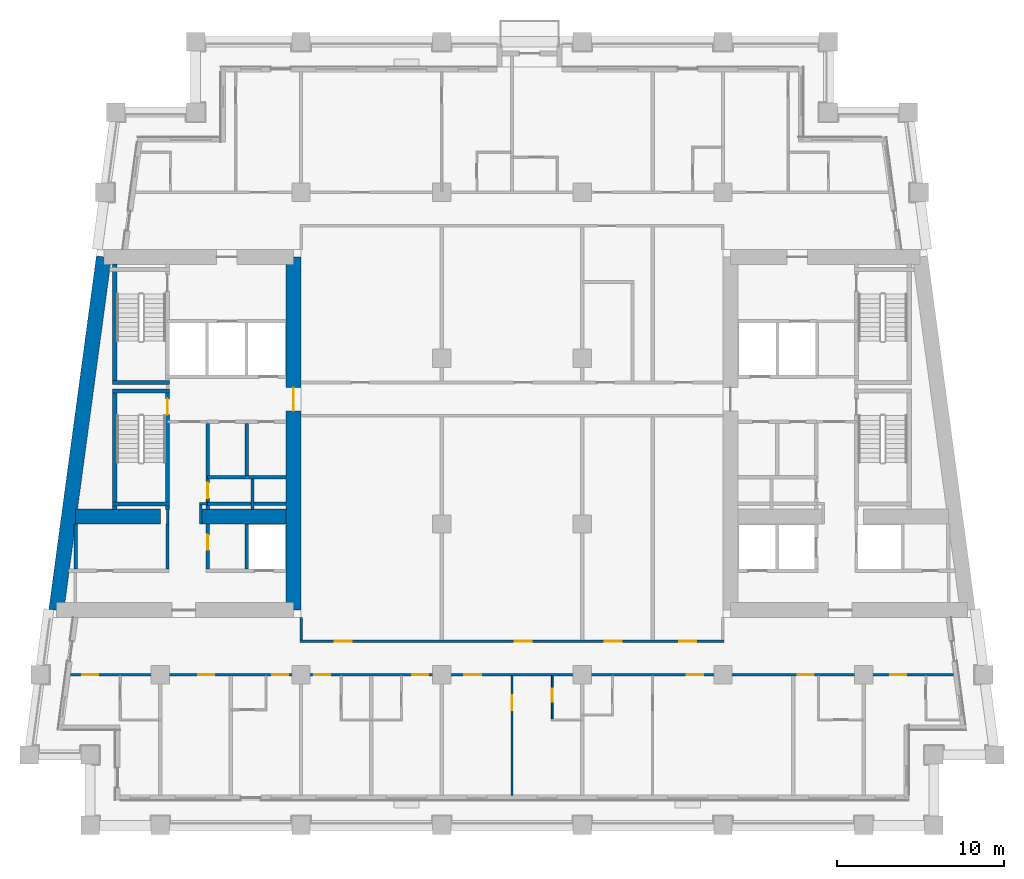
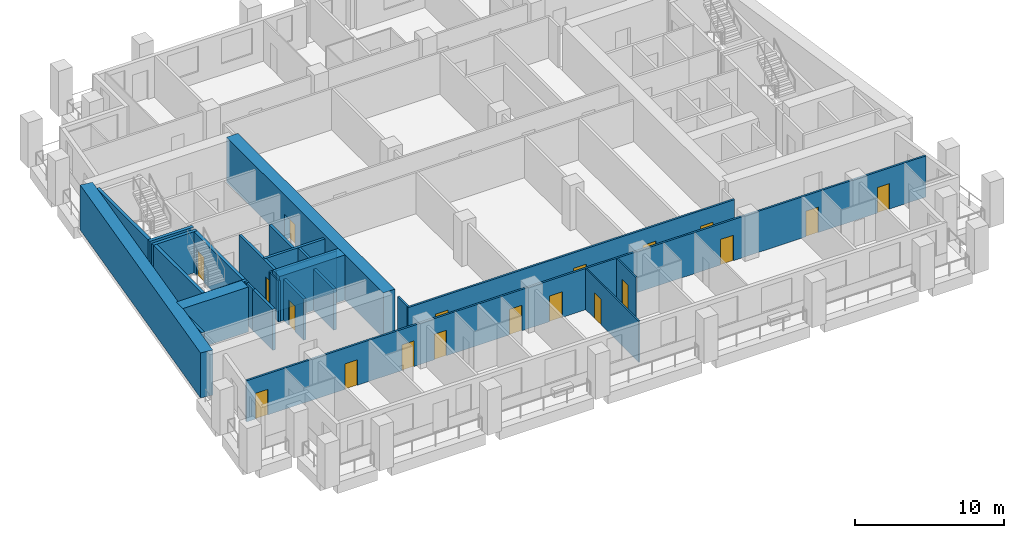
# One storey, part 3 of 13: 27 walls, 19 doors, 19 openings.
"""IFC4 building model written with IfcOpenShell, lengths in metres."""

from ifc_helpers import new_model, si_unit, direction, frame, frame_2d, origin, place, context, subcontext, project, spatial, rectangle, extrude, material, layer, layer_set, type_object, element, fill, save


model = new_model("IFC4")

# Units and contexts
model_context = context("Model", 3, precision=1e-05, world=origin(), true_north=direction((0.0, 1.0)))
body_context = subcontext(model_context, "Body", "Model", "MODEL_VIEW")
ifc_project = project(units=[si_unit("LENGTHUNIT", "METRE"), si_unit("AREAUNIT", "SQUARE_METRE"), si_unit("VOLUMEUNIT", "CUBIC_METRE"), si_unit("PLANEANGLEUNIT", "RADIAN"), si_unit("MASSUNIT", "GRAM", prefix="KILO")], contexts=[model_context])

# Site, building, storey
site_placement = place(None, origin())
site = spatial("IfcSite", under=ifc_project, at=site_placement, CompositionType="ELEMENT")
building_placement = place(site_placement, origin())
building = spatial("IfcBuilding", under=site, at=building_placement, Name="Candeia Pilgrim Tower and Theatre", CompositionType="ELEMENT")
storey_placement = place(building_placement, frame((0.0, 0.0, 151.5)))
storey = spatial("IfcBuildingStorey", under=building, at=storey_placement, Name="L35", CompositionType="ELEMENT", Elevation=151.5)

# Wall, opening, door
ifc_material_1 = material(Name="Concrete C60/75", Category="concrete")
ifc_layer_1 = layer(ifc_material_1, 0.89990234375)
ifc_layer_set_1 = layer_set([ifc_layer_1], Name="Core wall 900 C60/75")
wall_type_1 = type_object("IfcWallType", Name="Core wall 900 C60/75", PredefinedType="SHEAR", material=ifc_layer_set_1)
wall_1_placement = place(storey_placement, frame((100.35009765625, 131.949951171875, 0.0), z_axis=(0.0, 0.0, 1.0), x_axis=(0.0, -1.0, 0.0)))
wall_1 = element("IfcWall", 1, at=wall_1_placement, inside=storey, type_object=wall_type_1, Name="Core wall W2", PredefinedType="SHEAR", context=body_context, shape_type="SweptSolid", body=[
    extrude(rectangle(XDim=21.099853515625, YDim=0.89990234375, at=frame_2d((10.5498046875, 0.0))), origin(), (0.0, 0.0, 1.0), 3.699951171875),
])
opening_1_placement = place(wall_1_placement, frame((7.800048828125, 0.0, 0.0)))
opening_1 = element("IfcOpeningElement", 2, at=opening_1_placement, cuts=wall_1, Name="Opening L35-D059", PredefinedType="OPENING", context=body_context, shape_type="SweptSolid", body=[
    extrude(rectangle(XDim=1.39990234375, YDim=2.10009765625, at=frame_2d((0.699951171875, 1.050048828125))), frame((0.0, 0.4599609375, 0.0), z_axis=(0.0, -1.0, 0.0), x_axis=(1.0, 0.0, 0.0)), (0.0, 0.0, 1.0), 0.919921875),
])
ifc_material_2 = material(Name="Steel fire door set", Category="steel")
door_type_1 = type_object("IfcDoorType", Name="D-1400-FD60", OperationType="NOTDEFINED", PredefinedType="DOOR", material=ifc_material_2)
door_1_placement = place(opening_1_placement, origin())
door_1 = element("IfcDoor", 3, at=door_1_placement, inside=storey, type_object=door_type_1, Name="Door L35-D059", OperationType="SINGLE_SWING_RIGHT", OverallHeight=2.10009765625, OverallWidth=1.39990234375, PredefinedType="DOOR", context=body_context, shape_type="SweptSolid", body=[
    extrude(rectangle(XDim=1.39990234375, YDim=2.10009765625, at=frame_2d((0.699951171875, 1.050048828125))), frame((0.0, 0.02490234375, 0.0), z_axis=(0.0, -1.0, 0.0), x_axis=(1.0, 0.0, 0.0)), (0.0, 0.0, 1.0), 0.050048828125),
])
fill(opening_1, door_1)

# Walls
wall_2_placement = place(storey_placement, frame((86.183837890625, 110.85009765625, 0.0), z_axis=(0.0, 0.0, 1.0), x_axis=(0.133410495943, 0.991060865725, 0.0)))
element("IfcWall", 4, at=wall_2_placement, inside=storey, type_object=wall_type_1, Name="Core wall W4", PredefinedType="SHEAR", context=body_context, shape_type="SweptSolid", body=[
    extrude(rectangle(XDim=21.290283203125, YDim=0.89990234375, at=frame_2d((10.64501953125, 0.0))), origin(), (0.0, 0.0, 1.0), 3.699951171875),
])
wall_3_placement = place(storey_placement, frame((87.322998046875, 116.449951171875, 0.0), z_axis=(0.0, 0.0, 1.0), x_axis=(1.0, 0.0, 0.0)))
element("IfcWall", 5, at=wall_3_placement, inside=storey, type_object=wall_type_1, Name="Core wall W5", PredefinedType="SHEAR", context=body_context, shape_type="SweptSolid", body=[
    extrude(rectangle(XDim=5.076904296875, YDim=0.89990234375, at=frame_2d((2.53857421875, 0.0))), origin(), (0.0, 0.0, 1.0), 3.699951171875),
])
wall_4_placement = place(storey_placement, frame((94.800048828125, 116.449951171875, 0.0), z_axis=(0.0, 0.0, 1.0), x_axis=(1.0, 0.0, 0.0)))
element("IfcWall", 6, at=wall_4_placement, inside=storey, type_object=wall_type_1, Name="Core wall W6", PredefinedType="SHEAR", context=body_context, shape_type="SweptSolid", body=[
    extrude(rectangle(XDim=5.099853515625, YDim=0.89990234375, at=frame_2d((2.5498046875, 0.0))), origin(), (0.0, 0.0, 1.0), 3.699951171875),
])

# Wall, opening, door
ifc_material_3 = material(Name="Gypsum board partition on steel studs", Category="steel")
ifc_layer_2 = layer(ifc_material_3, 0.10009765625)
ifc_layer_set_2 = layer_set([ifc_layer_2], Name="PW-100 room partition")
wall_type_2 = type_object("IfcWallType", Name="PW-100 room partition", PredefinedType="PARTITIONING", material=ifc_layer_set_2)
wall_5_placement = place(storey_placement, frame((113.39990234375, 99.7900390625, 0.0), z_axis=(0.0, 0.0, 1.0), x_axis=(0.0, 1.0, 0.0)))
wall_5 = element("IfcWall", 7, at=wall_5_placement, inside=storey, type_object=wall_type_2, Name="Room partition L35-083", PredefinedType="PARTITIONING", context=body_context, shape_type="SweptSolid", body=[
    extrude(rectangle(XDim=7.135009765625, YDim=0.10009765625, at=frame_2d((3.5673828125, 0.0))), origin(), (0.0, 0.0, 1.0), 3.3798828125),
])
opening_2_placement = place(wall_5_placement, frame((5.074951171875, 0.0, 0.0)))
opening_2 = element("IfcOpeningElement", 8, at=opening_2_placement, cuts=wall_5, Name="Opening L35-D026", PredefinedType="OPENING", context=body_context, shape_type="SweptSolid", body=[
    extrude(rectangle(XDim=0.89990234375, YDim=2.10009765625, at=frame_2d((0.449951171875, 1.050048828125))), frame((0.0, 0.06005859375, 0.0), z_axis=(0.0, -1.0, 0.0), x_axis=(1.0, 0.0, 0.0)), (0.0, 0.0, 1.0), 0.1201171875),
])
ifc_material_4 = material(Name="Timber door leaf", Category="wood")
door_type_2 = type_object("IfcDoorType", Name="D-900", OperationType="NOTDEFINED", PredefinedType="DOOR", material=ifc_material_4)
door_2_placement = place(opening_2_placement, origin())
door_2 = element("IfcDoor", 9, at=door_2_placement, inside=storey, type_object=door_type_2, Name="Door L35-D026", OperationType="SINGLE_SWING_LEFT", OverallHeight=2.10009765625, OverallWidth=0.89990234375, PredefinedType="DOOR", context=body_context, shape_type="SweptSolid", body=[
    extrude(rectangle(XDim=0.89990234375, YDim=2.10009765625, at=frame_2d((0.449951171875, 1.050048828125))), frame((0.0, 0.02490234375, 0.0), z_axis=(0.0, -1.0, 0.0), x_axis=(1.0, 0.0, 0.0)), (0.0, 0.0, 1.0), 0.050048828125),
])
fill(opening_2, door_2)

wall_6_placement = place(storey_placement, frame((115.800048828125, 104.35009765625, 0.0), z_axis=(0.0, 0.0, 1.0), x_axis=(0.0, 1.0, 0.0)))
wall_6 = element("IfcWall", 10, at=wall_6_placement, inside=storey, type_object=wall_type_2, Name="Room partition L35-085", PredefinedType="PARTITIONING", context=body_context, shape_type="SweptSolid", body=[
    extrude(rectangle(XDim=2.574951171875, YDim=0.10009765625, at=frame_2d((1.28759765625, 0.0))), origin(), (0.0, 0.0, 1.0), 3.3798828125),
])
opening_3_placement = place(wall_6_placement, frame((1.02001953125, 0.0, 0.0)))
opening_3 = element("IfcOpeningElement", 11, at=opening_3_placement, cuts=wall_6, Name="Opening L35-D027", PredefinedType="OPENING", context=body_context, shape_type="SweptSolid", body=[
    extrude(rectangle(XDim=0.800048828125, YDim=2.10009765625, at=frame_2d((0.39990234375, 1.050048828125))), frame((0.0, 0.06005859375, 0.0), z_axis=(0.0, -1.0, 0.0), x_axis=(1.0, 0.0, 0.0)), (0.0, 0.0, 1.0), 0.1201171875),
])
door_type_3 = type_object("IfcDoorType", Name="D-800", OperationType="NOTDEFINED", PredefinedType="DOOR", material=ifc_material_4)
door_3_placement = place(opening_3_placement, origin())
door_3 = element("IfcDoor", 12, at=door_3_placement, inside=storey, type_object=door_type_3, Name="Door L35-D027", OperationType="SINGLE_SWING_RIGHT", OverallHeight=2.10009765625, OverallWidth=0.800048828125, PredefinedType="DOOR", context=body_context, shape_type="SweptSolid", body=[
    extrude(rectangle(XDim=0.800048828125, YDim=2.10009765625, at=frame_2d((0.39990234375, 1.050048828125))), frame((0.0, 0.02490234375, 0.0), z_axis=(0.0, -1.0, 0.0), x_axis=(1.0, 0.0, 0.0)), (0.0, 0.0, 1.0), 0.050048828125),
])
fill(opening_3, door_3)

# Walls
ifc_layer_3 = layer(ifc_material_3, 0.14990234375)
ifc_layer_set_3 = layer_set([ifc_layer_3], Name="PW-150 lobby wall")
wall_type_3 = type_object("IfcWallType", Name="PW-150 lobby wall", PredefinedType="PARTITIONING", material=ifc_layer_set_3)
wall_7_placement = place(storey_placement, frame((94.72509765625, 117.199951171875, 0.0), z_axis=(0.0, 0.0, 1.0), x_axis=(1.0, 0.0, 0.0)))
element("IfcWall", 13, at=wall_7_placement, inside=storey, type_object=wall_type_3, Name="Lobby wall L35-016", PredefinedType="PARTITIONING", context=body_context, shape_type="SweptSolid", body=[
    extrude(rectangle(XDim=0.501953125, YDim=0.14990234375, at=frame_2d((0.2509765625, 0.0))), origin(), (0.0, 0.0, 1.0), 3.3798828125),
])
wall_8_placement = place(storey_placement, frame((92.826904296875, 116.0, 0.0), z_axis=(0.0, 0.0, 1.0), x_axis=(0.0, 1.0, 0.0)))
element("IfcWall", 14, at=wall_8_placement, inside=storey, type_object=wall_type_3, Name="Lobby wall L35-055", PredefinedType="PARTITIONING", context=body_context, shape_type="SweptSolid", body=[
    extrude(rectangle(XDim=0.8701171875, YDim=0.14990234375, at=frame_2d((0.43505859375, 0.0))), origin(), (0.0, 0.0, 1.0), 3.3798828125),
])
wall_9_placement = place(storey_placement, frame((94.800048828125, 116.0, 0.0), z_axis=(0.0, 0.0, 1.0), x_axis=(0.0, 1.0, 0.0)))
element("IfcWall", 15, at=wall_9_placement, inside=storey, type_object=wall_type_3, Name="Lobby wall L35-060", PredefinedType="PARTITIONING", context=body_context, shape_type="SweptSolid", body=[
    extrude(rectangle(XDim=1.125, YDim=0.14990234375, at=frame_2d((0.5625, 0.0))), origin(), (0.0, 0.0, 1.0), 3.3798828125),
])

# Wall, openings, doors
ifc_layer_4 = layer(ifc_material_3, 0.14990234375)
ifc_layer_set_4 = layer_set([ifc_layer_4], Name="PW-150 unit wall")
wall_type_4 = type_object("IfcWallType", Name="PW-150 unit wall", PredefinedType="PARTITIONING", material=ifc_layer_set_4)
wall_10_placement = place(storey_placement, frame((87.017578125, 107.0, 0.0), z_axis=(0.0, 0.0, 1.0), x_axis=(1.0, 0.0, 0.0)))
wall_10 = element("IfcWall", 16, at=wall_10_placement, inside=storey, type_object=wall_type_4, Name="Unit wall L35-008", PredefinedType="PARTITIONING", context=body_context, shape_type="SweptSolid", body=[
    extrude(rectangle(XDim=52.7646484375, YDim=0.14990234375, at=frame_2d((26.38232421875, 0.0))), origin(), (0.0, 0.0, 1.0), 3.3798828125),
])
opening_4_placement = place(wall_10_placement, frame((0.707275390625, 0.0, 0.0)))
opening_4 = element("IfcOpeningElement", 17, at=opening_4_placement, cuts=wall_10, Name="Opening L35-D016", PredefinedType="OPENING", context=body_context, shape_type="SweptSolid", body=[
    extrude(rectangle(XDim=0.949951171875, YDim=2.10009765625, at=frame_2d((0.47509765625, 1.050048828125))), frame((0.0, 0.0849609375, 0.0), z_axis=(0.0, -1.0, 0.0), x_axis=(1.0, 0.0, 0.0)), (0.0, 0.0, 1.0), 0.169921875),
])
opening_5_placement = place(wall_10_placement, frame((7.645263671875, 0.0, 0.0)))
opening_5 = element("IfcOpeningElement", 18, at=opening_5_placement, cuts=wall_10, Name="Opening L35-D018", PredefinedType="OPENING", context=body_context, shape_type="SweptSolid", body=[
    extrude(rectangle(XDim=0.949951171875, YDim=2.10009765625, at=frame_2d((0.47509765625, 1.050048828125))), frame((0.0, 0.0849609375, 0.0), z_axis=(0.0, -1.0, 0.0), x_axis=(1.0, 0.0, 0.0)), (0.0, 0.0, 1.0), 0.169921875),
])
opening_6_placement = place(wall_10_placement, frame((12.0673828125, 0.0, 0.0)))
opening_6 = element("IfcOpeningElement", 19, at=opening_6_placement, cuts=wall_10, Name="Opening L35-D019", PredefinedType="OPENING", context=body_context, shape_type="SweptSolid", body=[
    extrude(rectangle(XDim=0.949951171875, YDim=2.10009765625, at=frame_2d((0.47509765625, 1.050048828125))), frame((0.0, 0.0849609375, 0.0), z_axis=(0.0, -1.0, 0.0), x_axis=(1.0, 0.0, 0.0)), (0.0, 0.0, 1.0), 0.169921875),
])
opening_7_placement = place(wall_10_placement, frame((14.582275390625, 0.0, 0.0)))
opening_7 = element("IfcOpeningElement", 20, at=opening_7_placement, cuts=wall_10, Name="Opening L35-D021", PredefinedType="OPENING", context=body_context, shape_type="SweptSolid", body=[
    extrude(rectangle(XDim=0.949951171875, YDim=2.10009765625, at=frame_2d((0.47509765625, 1.050048828125))), frame((0.0, 0.0849609375, 0.0), z_axis=(0.0, -1.0, 0.0), x_axis=(1.0, 0.0, 0.0)), (0.0, 0.0, 1.0), 0.169921875),
])
opening_8_placement = place(wall_10_placement, frame((20.432373046875, 0.0, 0.0)))
opening_8 = element("IfcOpeningElement", 21, at=opening_8_placement, cuts=wall_10, Name="Opening L35-D023", PredefinedType="OPENING", context=body_context, shape_type="SweptSolid", body=[
    extrude(rectangle(XDim=0.949951171875, YDim=2.10009765625, at=frame_2d((0.47509765625, 1.050048828125))), frame((0.0, 0.0849609375, 0.0), z_axis=(0.0, -1.0, 0.0), x_axis=(1.0, 0.0, 0.0)), (0.0, 0.0, 1.0), 0.169921875),
])
opening_9_placement = place(wall_10_placement, frame((23.5322265625, 0.0, 0.0)))
opening_9 = element("IfcOpeningElement", 22, at=opening_9_placement, cuts=wall_10, Name="Opening L35-D025", PredefinedType="OPENING", context=body_context, shape_type="SweptSolid", body=[
    extrude(rectangle(XDim=1.0, YDim=2.10009765625, at=frame_2d((0.5, 1.050048828125))), frame((0.0, 0.0849609375, 0.0), z_axis=(0.0, -1.0, 0.0), x_axis=(1.0, 0.0, 0.0)), (0.0, 0.0, 1.0), 0.169921875),
])
opening_10_placement = place(wall_10_placement, frame((36.807373046875, 0.0, 0.0)))
opening_10 = element("IfcOpeningElement", 23, at=opening_10_placement, cuts=wall_10, Name="Opening L35-D028", PredefinedType="OPENING", context=body_context, shape_type="SweptSolid", body=[
    extrude(rectangle(XDim=1.0, YDim=2.10009765625, at=frame_2d((0.5, 1.050048828125))), frame((0.0, 0.0849609375, 0.0), z_axis=(0.0, -1.0, 0.0), x_axis=(1.0, 0.0, 0.0)), (0.0, 0.0, 1.0), 0.169921875),
])
opening_11_placement = place(wall_10_placement, frame((43.457275390625, 0.0, 0.0)))
opening_11 = element("IfcOpeningElement", 24, at=opening_11_placement, cuts=wall_10, Name="Opening L35-D031", PredefinedType="OPENING", context=body_context, shape_type="SweptSolid", body=[
    extrude(rectangle(XDim=0.949951171875, YDim=2.10009765625, at=frame_2d((0.47509765625, 1.050048828125))), frame((0.0, 0.0849609375, 0.0), z_axis=(0.0, -1.0, 0.0), x_axis=(1.0, 0.0, 0.0)), (0.0, 0.0, 1.0), 0.169921875),
])
opening_12_placement = place(wall_10_placement, frame((48.974365234375, 0.0, 0.0)))
opening_12 = element("IfcOpeningElement", 25, at=opening_12_placement, cuts=wall_10, Name="Opening L35-D033", PredefinedType="OPENING", context=body_context, shape_type="SweptSolid", body=[
    extrude(rectangle(XDim=0.949951171875, YDim=2.10009765625, at=frame_2d((0.47509765625, 1.050048828125))), frame((0.0, 0.0849609375, 0.0), z_axis=(0.0, -1.0, 0.0), x_axis=(1.0, 0.0, 0.0)), (0.0, 0.0, 1.0), 0.169921875),
])
door_type_4 = type_object("IfcDoorType", Name="D-1000-FD30S", OperationType="NOTDEFINED", PredefinedType="DOOR", material=ifc_material_2)
door_4_placement = place(opening_9_placement, origin())
door_4 = element("IfcDoor", 26, at=door_4_placement, inside=storey, type_object=door_type_4, Name="Door L35-D025", OperationType="SINGLE_SWING_RIGHT", OverallHeight=2.10009765625, OverallWidth=1.0, PredefinedType="DOOR", context=body_context, shape_type="SweptSolid", body=[
    extrude(rectangle(XDim=1.0, YDim=2.10009765625, at=frame_2d((0.5, 1.050048828125))), frame((0.0, 0.02490234375, 0.0), z_axis=(0.0, -1.0, 0.0), x_axis=(1.0, 0.0, 0.0)), (0.0, 0.0, 1.0), 0.050048828125),
])
fill(opening_9, door_4)
door_5_placement = place(opening_10_placement, origin())
door_5 = element("IfcDoor", 27, at=door_5_placement, inside=storey, type_object=door_type_4, Name="Door L35-D028", OperationType="SINGLE_SWING_LEFT", OverallHeight=2.10009765625, OverallWidth=1.0, PredefinedType="DOOR", context=body_context, shape_type="SweptSolid", body=[
    extrude(rectangle(XDim=1.0, YDim=2.10009765625, at=frame_2d((0.5, 1.050048828125))), frame((0.0, 0.02490234375, 0.0), z_axis=(0.0, -1.0, 0.0), x_axis=(1.0, 0.0, 0.0)), (0.0, 0.0, 1.0), 0.050048828125),
])
fill(opening_10, door_5)
door_type_5 = type_object("IfcDoorType", Name="D-950-FD30S", OperationType="NOTDEFINED", PredefinedType="DOOR", material=ifc_material_2)
door_6_placement = place(opening_4_placement, origin())
door_6 = element("IfcDoor", 28, at=door_6_placement, inside=storey, type_object=door_type_5, Name="Door L35-D016", OperationType="SINGLE_SWING_LEFT", OverallHeight=2.10009765625, OverallWidth=0.949951171875, PredefinedType="DOOR", context=body_context, shape_type="SweptSolid", body=[
    extrude(rectangle(XDim=0.949951171875, YDim=2.10009765625, at=frame_2d((0.47509765625, 1.050048828125))), frame((0.0, 0.02490234375, 0.0), z_axis=(0.0, -1.0, 0.0), x_axis=(1.0, 0.0, 0.0)), (0.0, 0.0, 1.0), 0.050048828125),
])
fill(opening_4, door_6)
door_7_placement = place(opening_5_placement, origin())
door_7 = element("IfcDoor", 29, at=door_7_placement, inside=storey, type_object=door_type_5, Name="Door L35-D018", OperationType="SINGLE_SWING_LEFT", OverallHeight=2.10009765625, OverallWidth=0.949951171875, PredefinedType="DOOR", context=body_context, shape_type="SweptSolid", body=[
    extrude(rectangle(XDim=0.949951171875, YDim=2.10009765625, at=frame_2d((0.47509765625, 1.050048828125))), frame((0.0, 0.02490234375, 0.0), z_axis=(0.0, -1.0, 0.0), x_axis=(1.0, 0.0, 0.0)), (0.0, 0.0, 1.0), 0.050048828125),
])
fill(opening_5, door_7)
door_8_placement = place(opening_6_placement, origin())
door_8 = element("IfcDoor", 30, at=door_8_placement, inside=storey, type_object=door_type_5, Name="Door L35-D019", OperationType="SINGLE_SWING_RIGHT", OverallHeight=2.10009765625, OverallWidth=0.949951171875, PredefinedType="DOOR", context=body_context, shape_type="SweptSolid", body=[
    extrude(rectangle(XDim=0.949951171875, YDim=2.10009765625, at=frame_2d((0.47509765625, 1.050048828125))), frame((0.0, 0.02490234375, 0.0), z_axis=(0.0, -1.0, 0.0), x_axis=(1.0, 0.0, 0.0)), (0.0, 0.0, 1.0), 0.050048828125),
])
fill(opening_6, door_8)
door_9_placement = place(opening_7_placement, origin())
door_9 = element("IfcDoor", 31, at=door_9_placement, inside=storey, type_object=door_type_5, Name="Door L35-D021", OperationType="SINGLE_SWING_RIGHT", OverallHeight=2.10009765625, OverallWidth=0.949951171875, PredefinedType="DOOR", context=body_context, shape_type="SweptSolid", body=[
    extrude(rectangle(XDim=0.949951171875, YDim=2.10009765625, at=frame_2d((0.47509765625, 1.050048828125))), frame((0.0, 0.02490234375, 0.0), z_axis=(0.0, -1.0, 0.0), x_axis=(1.0, 0.0, 0.0)), (0.0, 0.0, 1.0), 0.050048828125),
])
fill(opening_7, door_9)
door_10_placement = place(opening_8_placement, origin())
door_10 = element("IfcDoor", 32, at=door_10_placement, inside=storey, type_object=door_type_5, Name="Door L35-D023", OperationType="SINGLE_SWING_RIGHT", OverallHeight=2.10009765625, OverallWidth=0.949951171875, PredefinedType="DOOR", context=body_context, shape_type="SweptSolid", body=[
    extrude(rectangle(XDim=0.949951171875, YDim=2.10009765625, at=frame_2d((0.47509765625, 1.050048828125))), frame((0.0, 0.02490234375, 0.0), z_axis=(0.0, -1.0, 0.0), x_axis=(1.0, 0.0, 0.0)), (0.0, 0.0, 1.0), 0.050048828125),
])
fill(opening_8, door_10)
door_11_placement = place(opening_11_placement, origin())
door_11 = element("IfcDoor", 33, at=door_11_placement, inside=storey, type_object=door_type_5, Name="Door L35-D031", OperationType="SINGLE_SWING_RIGHT", OverallHeight=2.10009765625, OverallWidth=0.949951171875, PredefinedType="DOOR", context=body_context, shape_type="SweptSolid", body=[
    extrude(rectangle(XDim=0.949951171875, YDim=2.10009765625, at=frame_2d((0.47509765625, 1.050048828125))), frame((0.0, 0.02490234375, 0.0), z_axis=(0.0, -1.0, 0.0), x_axis=(1.0, 0.0, 0.0)), (0.0, 0.0, 1.0), 0.050048828125),
])
fill(opening_11, door_11)
door_12_placement = place(opening_12_placement, origin())
door_12 = element("IfcDoor", 34, at=door_12_placement, inside=storey, type_object=door_type_5, Name="Door L35-D033", OperationType="SINGLE_SWING_RIGHT", OverallHeight=2.10009765625, OverallWidth=0.949951171875, PredefinedType="DOOR", context=body_context, shape_type="SweptSolid", body=[
    extrude(rectangle(XDim=0.949951171875, YDim=2.10009765625, at=frame_2d((0.47509765625, 1.050048828125))), frame((0.0, 0.02490234375, 0.0), z_axis=(0.0, -1.0, 0.0), x_axis=(1.0, 0.0, 0.0)), (0.0, 0.0, 1.0), 0.050048828125),
])
fill(opening_12, door_12)

wall_11_placement = place(storey_placement, frame((100.72509765625, 109.0, 0.0), z_axis=(0.0, 0.0, 1.0), x_axis=(1.0, 0.0, 0.0)))
wall_11 = element("IfcWall", 35, at=wall_11_placement, inside=storey, type_object=wall_type_4, Name="Unit wall L35-009", PredefinedType="PARTITIONING", context=body_context, shape_type="SweptSolid", body=[
    extrude(rectangle(XDim=25.349853515625, YDim=0.14990234375, at=frame_2d((12.6748046875, 0.0))), origin(), (0.0, 0.0, 1.0), 3.3798828125),
])
opening_13_placement = place(wall_11_placement, frame((2.10009765625, 0.0, 0.0)))
opening_13 = element("IfcOpeningElement", 36, at=opening_13_placement, cuts=wall_11, Name="Opening L35-D049", PredefinedType="OPENING", context=body_context, shape_type="SweptSolid", body=[
    extrude(rectangle(XDim=1.0, YDim=2.10009765625, at=frame_2d((0.5, 1.050048828125))), frame((0.0, 0.0849609375, 0.0), z_axis=(0.0, -1.0, 0.0), x_axis=(1.0, 0.0, 0.0)), (0.0, 0.0, 1.0), 0.169921875),
])
opening_14_placement = place(wall_11_placement, frame((12.844970703125, 0.0, 0.0)))
opening_14 = element("IfcOpeningElement", 37, at=opening_14_placement, cuts=wall_11, Name="Opening L35-D050", PredefinedType="OPENING", context=body_context, shape_type="SweptSolid", body=[
    extrude(rectangle(XDim=1.0, YDim=2.10009765625, at=frame_2d((0.5, 1.050048828125))), frame((0.0, 0.0849609375, 0.0), z_axis=(0.0, -1.0, 0.0), x_axis=(1.0, 0.0, 0.0)), (0.0, 0.0, 1.0), 0.169921875),
])
opening_15_placement = place(wall_11_placement, frame((18.22509765625, 0.0, 0.0)))
opening_15 = element("IfcOpeningElement", 38, at=opening_15_placement, cuts=wall_11, Name="Opening L35-D051", PredefinedType="OPENING", context=body_context, shape_type="SweptSolid", body=[
    extrude(rectangle(XDim=1.0, YDim=2.10009765625, at=frame_2d((0.5, 1.050048828125))), frame((0.0, 0.0849609375, 0.0), z_axis=(0.0, -1.0, 0.0), x_axis=(1.0, 0.0, 0.0)), (0.0, 0.0, 1.0), 0.169921875),
])
opening_16_placement = place(wall_11_placement, frame((22.675048828125, 0.0, 0.0)))
opening_16 = element("IfcOpeningElement", 39, at=opening_16_placement, cuts=wall_11, Name="Opening L35-D052", PredefinedType="OPENING", context=body_context, shape_type="SweptSolid", body=[
    extrude(rectangle(XDim=1.0, YDim=2.10009765625, at=frame_2d((0.5, 1.050048828125))), frame((0.0, 0.0849609375, 0.0), z_axis=(0.0, -1.0, 0.0), x_axis=(1.0, 0.0, 0.0)), (0.0, 0.0, 1.0), 0.169921875),
])
door_13_placement = place(opening_13_placement, origin())
door_13 = element("IfcDoor", 40, at=door_13_placement, inside=storey, type_object=door_type_4, Name="Door L35-D049", OperationType="SINGLE_SWING_RIGHT", OverallHeight=2.10009765625, OverallWidth=1.0, PredefinedType="DOOR", context=body_context, shape_type="SweptSolid", body=[
    extrude(rectangle(XDim=1.0, YDim=2.10009765625, at=frame_2d((0.5, 1.050048828125))), frame((0.0, 0.02490234375, 0.0), z_axis=(0.0, -1.0, 0.0), x_axis=(1.0, 0.0, 0.0)), (0.0, 0.0, 1.0), 0.050048828125),
])
fill(opening_13, door_13)
door_14_placement = place(opening_14_placement, origin())
door_14 = element("IfcDoor", 41, at=door_14_placement, inside=storey, type_object=door_type_4, Name="Door L35-D050", OperationType="SINGLE_SWING_LEFT", OverallHeight=2.10009765625, OverallWidth=1.0, PredefinedType="DOOR", context=body_context, shape_type="SweptSolid", body=[
    extrude(rectangle(XDim=1.0, YDim=2.10009765625, at=frame_2d((0.5, 1.050048828125))), frame((0.0, 0.02490234375, 0.0), z_axis=(0.0, -1.0, 0.0), x_axis=(1.0, 0.0, 0.0)), (0.0, 0.0, 1.0), 0.050048828125),
])
fill(opening_14, door_14)
door_15_placement = place(opening_15_placement, origin())
door_15 = element("IfcDoor", 42, at=door_15_placement, inside=storey, type_object=door_type_4, Name="Door L35-D051", OperationType="SINGLE_SWING_RIGHT", OverallHeight=2.10009765625, OverallWidth=1.0, PredefinedType="DOOR", context=body_context, shape_type="SweptSolid", body=[
    extrude(rectangle(XDim=1.0, YDim=2.10009765625, at=frame_2d((0.5, 1.050048828125))), frame((0.0, 0.02490234375, 0.0), z_axis=(0.0, -1.0, 0.0), x_axis=(1.0, 0.0, 0.0)), (0.0, 0.0, 1.0), 0.050048828125),
])
fill(opening_15, door_15)
door_16_placement = place(opening_16_placement, origin())
door_16 = element("IfcDoor", 43, at=door_16_placement, inside=storey, type_object=door_type_4, Name="Door L35-D052", OperationType="SINGLE_SWING_LEFT", OverallHeight=2.10009765625, OverallWidth=1.0, PredefinedType="DOOR", context=body_context, shape_type="SweptSolid", body=[
    extrude(rectangle(XDim=1.0, YDim=2.10009765625, at=frame_2d((0.5, 1.050048828125))), frame((0.0, 0.02490234375, 0.0), z_axis=(0.0, -1.0, 0.0), x_axis=(1.0, 0.0, 0.0)), (0.0, 0.0, 1.0), 0.050048828125),
])
fill(opening_16, door_16)

# Walls
wall_12_placement = place(storey_placement, frame((100.800048828125, 109.074951171875, 0.0), z_axis=(0.0, 0.0, 1.0), x_axis=(0.0, 1.0, 0.0)))
element("IfcWall", 44, at=wall_12_placement, inside=storey, type_object=wall_type_4, Name="Unit wall L35-073", PredefinedType="PARTITIONING", context=body_context, shape_type="SweptSolid", body=[
    extrude(rectangle(XDim=1.324951171875, YDim=0.14990234375, at=frame_2d((0.66259765625, 0.0))), origin(), (0.0, 0.0, 1.0), 3.3798828125),
])
ifc_material_5 = material(Name="Concrete C40/50", Category="concrete")
ifc_layer_5 = layer(ifc_material_5, 0.199951171875)
ifc_layer_set_5 = layer_set([ifc_layer_5], Name="SW-200 shaft wall")
wall_type_5 = type_object("IfcWallType", Name="SW-200 shaft wall", PredefinedType="PARTITIONING", material=ifc_layer_set_5)
for number, where, z_axis, x_axis, name in (
    (45, (95.22705078125, 117.199951171875, 0.0), (0.0, 0.0, 1.0), (1.0, 0.0, 0.0), "Shaft wall L35-014"),
    (46, (95.22705078125, 118.800048828125, 0.0), (0.0, 0.0, 1.0), (1.0, 0.0, 0.0), "Shaft wall L35-020"),
):
    element("IfcWall", number, at=place(storey_placement, frame(where, z_axis=z_axis, x_axis=x_axis)), inside=storey, type_object=wall_type_5, Name=name, PredefinedType="PARTITIONING", context=body_context, shape_type="SweptSolid", body=[
        extrude(rectangle(XDim=4.6728515625, YDim=0.199951171875, at=frame_2d((2.33642578125, 0.0))), origin(), (0.0, 0.0, 1.0), 3.3798828125),
    ])
for number, where, z_axis, x_axis, name in (
    (47, (87.350341796875, 113.300048828125, 0.0), (0.0, 0.0, 1.0), (0.0, 1.0, 0.0), "Shaft wall L35-048"),
    (48, (92.826904296875, 113.300048828125, 0.0), (0.0, 0.0, 1.0), (0.0, 1.0, 0.0), "Shaft wall L35-054"),
):
    element("IfcWall", number, at=place(storey_placement, frame(where, z_axis=z_axis, x_axis=x_axis)), inside=storey, type_object=wall_type_5, Name=name, PredefinedType="PARTITIONING", context=body_context, shape_type="SweptSolid", body=[
        extrude(rectangle(XDim=2.699951171875, YDim=0.199951171875, at=frame_2d((1.35009765625, 0.0))), origin(), (0.0, 0.0, 1.0), 3.3798828125),
    ])

# Wall, opening, door
wall_13_placement = place(storey_placement, frame((95.22705078125, 113.300048828125, 0.0), z_axis=(0.0, 0.0, 1.0), x_axis=(0.0, 1.0, 0.0)))
wall_13 = element("IfcWall", 49, at=wall_13_placement, inside=storey, type_object=wall_type_5, Name="Shaft wall L35-062", PredefinedType="PARTITIONING", context=body_context, shape_type="SweptSolid", body=[
    extrude(rectangle(XDim=2.699951171875, YDim=0.199951171875, at=frame_2d((1.35009765625, 0.0))), origin(), (0.0, 0.0, 1.0), 3.3798828125),
])
opening_17_placement = place(wall_13_placement, frame((1.14990234375, 0.0, 0.0)))
opening_17 = element("IfcOpeningElement", 50, at=opening_17_placement, cuts=wall_13, Name="Opening L35-D008", PredefinedType="OPENING", context=body_context, shape_type="SweptSolid", body=[
    extrude(rectangle(XDim=0.89990234375, YDim=2.10009765625, at=frame_2d((0.449951171875, 1.050048828125))), frame((0.0, 0.10986328125, 0.0), z_axis=(0.0, -1.0, 0.0), x_axis=(1.0, 0.0, 0.0)), (0.0, 0.0, 1.0), 0.219970703125),
])
door_type_6 = type_object("IfcDoorType", Name="D-900-FD60", OperationType="NOTDEFINED", PredefinedType="DOOR", material=ifc_material_2)
door_17_placement = place(opening_17_placement, origin())
door_17 = element("IfcDoor", 51, at=door_17_placement, inside=storey, type_object=door_type_6, Name="Door L35-D008", OperationType="SINGLE_SWING_RIGHT", OverallHeight=2.10009765625, OverallWidth=0.89990234375, PredefinedType="DOOR", context=body_context, shape_type="SweptSolid", body=[
    extrude(rectangle(XDim=0.89990234375, YDim=2.10009765625, at=frame_2d((0.449951171875, 1.050048828125))), frame((0.0, 0.02490234375, 0.0), z_axis=(0.0, -1.0, 0.0), x_axis=(1.0, 0.0, 0.0)), (0.0, 0.0, 1.0), 0.050048828125),
])
fill(opening_17, door_17)

wall_14_placement = place(storey_placement, frame((95.22705078125, 116.8701171875, 0.0), z_axis=(0.0, 0.0, 1.0), x_axis=(0.0, 1.0, 0.0)))
wall_14 = element("IfcWall", 52, at=wall_14_placement, inside=storey, type_object=wall_type_5, Name="Shaft wall L35-063", PredefinedType="PARTITIONING", context=body_context, shape_type="SweptSolid", body=[
    extrude(rectangle(XDim=5.1298828125, YDim=0.199951171875, at=frame_2d((2.56494140625, 0.0))), origin(), (0.0, 0.0, 1.0), 3.3798828125),
])
opening_18_placement = place(wall_14_placement, frame((0.679931640625, 0.0, 0.0)))
opening_18 = element("IfcOpeningElement", 53, at=opening_18_placement, cuts=wall_14, Name="Opening L35-D006", PredefinedType="OPENING", context=body_context, shape_type="SweptSolid", body=[
    extrude(rectangle(XDim=0.89990234375, YDim=2.10009765625, at=frame_2d((0.449951171875, 1.050048828125))), frame((0.0, 0.10986328125, 0.0), z_axis=(0.0, -1.0, 0.0), x_axis=(1.0, 0.0, 0.0)), (0.0, 0.0, 1.0), 0.219970703125),
])
door_18_placement = place(opening_18_placement, origin())
door_18 = element("IfcDoor", 54, at=door_18_placement, inside=storey, type_object=door_type_6, Name="Door L35-D006", OperationType="SINGLE_SWING_LEFT", OverallHeight=2.10009765625, OverallWidth=0.89990234375, PredefinedType="DOOR", context=body_context, shape_type="SweptSolid", body=[
    extrude(rectangle(XDim=0.89990234375, YDim=2.10009765625, at=frame_2d((0.449951171875, 1.050048828125))), frame((0.0, 0.02490234375, 0.0), z_axis=(0.0, -1.0, 0.0), x_axis=(1.0, 0.0, 0.0)), (0.0, 0.0, 1.0), 0.050048828125),
])
fill(opening_18, door_18)

# Walls
wall_15_placement = place(storey_placement, frame((97.5634765625, 113.300048828125, 0.0), z_axis=(0.0, 0.0, 1.0), x_axis=(0.0, 1.0, 0.0)))
element("IfcWall", 55, at=wall_15_placement, inside=storey, type_object=wall_type_5, Name="Shaft wall L35-067", PredefinedType="PARTITIONING", context=body_context, shape_type="SweptSolid", body=[
    extrude(rectangle(XDim=2.699951171875, YDim=0.199951171875, at=frame_2d((1.35009765625, 0.0))), origin(), (0.0, 0.0, 1.0), 3.3798828125),
])
wall_16_placement = place(storey_placement, frame((97.5634765625, 118.89990234375, 0.0), z_axis=(0.0, 0.0, 1.0), x_axis=(0.0, 1.0, 0.0)))
element("IfcWall", 56, at=wall_16_placement, inside=storey, type_object=wall_type_5, Name="Shaft wall L35-068", PredefinedType="PARTITIONING", context=body_context, shape_type="SweptSolid", body=[
    extrude(rectangle(XDim=3.10009765625, YDim=0.199951171875, at=frame_2d((1.550048828125, 0.0))), origin(), (0.0, 0.0, 1.0), 3.3798828125),
])
wall_17_placement = place(storey_placement, frame((97.89990234375, 116.8701171875, 0.0), z_axis=(0.0, 0.0, 1.0), x_axis=(0.0, 1.0, 0.0)))
element("IfcWall", 57, at=wall_17_placement, inside=storey, type_object=wall_type_5, Name="Shaft wall L35-069", PredefinedType="PARTITIONING", context=body_context, shape_type="SweptSolid", body=[
    extrude(rectangle(XDim=1.829833984375, YDim=0.199951171875, at=frame_2d((0.9150390625, 0.0))), origin(), (0.0, 0.0, 1.0), 3.3798828125),
])
ifc_layer_6 = layer(ifc_material_5, 0.25)
ifc_layer_set_6 = layer_set([ifc_layer_6], Name="SW-250 stair wall")
wall_type_6 = type_object("IfcWallType", Name="SW-250 stair wall", PredefinedType="PARTITIONING", material=ifc_layer_set_6)
for number, where, z_axis, x_axis, name in (
    (58, (89.552001953125, 117.199951171875, 0.0), (0.0, 0.0, 1.0), (1.0, 0.0, 0.0), "Stair wall L35-018"),
    (59, (89.552001953125, 123.949951171875, 0.0), (0.0, 0.0, 1.0), (1.0, 0.0, 0.0), "Stair wall L35-027"),
    (60, (89.552001953125, 124.449951171875, 0.0), (0.0, 0.0, 1.0), (1.0, 0.0, 0.0), "Stair wall L35-029"),
):
    element("IfcWall", number, at=place(storey_placement, frame(where, z_axis=z_axis, x_axis=x_axis)), inside=storey, type_object=wall_type_6, Name=name, PredefinedType="PARTITIONING", context=body_context, shape_type="SweptSolid", body=[
        extrude(rectangle(XDim=3.39990234375, YDim=0.25, at=frame_2d((1.699951171875, 0.0))), origin(), (0.0, 0.0, 1.0), 3.3798828125),
    ])
wall_18_placement = place(storey_placement, frame((89.677001953125, 116.8701171875, 0.0), z_axis=(0.0, 0.0, 1.0), x_axis=(0.0, 1.0, 0.0)))
element("IfcWall", 61, at=wall_18_placement, inside=storey, type_object=wall_type_6, Name="Stair wall L35-050", PredefinedType="PARTITIONING", context=body_context, shape_type="SweptSolid", body=[
    extrude(rectangle(XDim=6.954833984375, YDim=0.25, at=frame_2d((3.4775390625, 0.0))), origin(), (0.0, 0.0, 1.0), 3.3798828125),
])
wall_19_placement = place(storey_placement, frame((89.677001953125, 124.574951171875, 0.0), z_axis=(0.0, 0.0, 1.0), x_axis=(0.0, 1.0, 0.0)))
element("IfcWall", 62, at=wall_19_placement, inside=storey, type_object=wall_type_6, Name="Stair wall L35-051", PredefinedType="PARTITIONING", context=body_context, shape_type="SweptSolid", body=[
    extrude(rectangle(XDim=6.955078125, YDim=0.25, at=frame_2d((3.4775390625, 0.0))), origin(), (0.0, 0.0, 1.0), 3.3798828125),
])

# Wall, opening, door
wall_20_placement = place(storey_placement, frame((92.826904296875, 116.8701171875, 0.0), z_axis=(0.0, 0.0, 1.0), x_axis=(0.0, 1.0, 0.0)))
wall_20 = element("IfcWall", 63, at=wall_20_placement, inside=storey, type_object=wall_type_6, Name="Stair wall L35-057", PredefinedType="PARTITIONING", context=body_context, shape_type="SweptSolid", body=[
    extrude(rectangle(XDim=6.954833984375, YDim=0.25, at=frame_2d((3.4775390625, 0.0))), origin(), (0.0, 0.0, 1.0), 3.3798828125),
])
opening_19_placement = place(wall_20_placement, frame((5.655029296875, 0.0, 0.0)))
opening_19 = element("IfcOpeningElement", 64, at=opening_19_placement, cuts=wall_20, Name="Opening L35-D004", PredefinedType="OPENING", context=body_context, shape_type="SweptSolid", body=[
    extrude(rectangle(XDim=0.949951171875, YDim=2.10009765625, at=frame_2d((0.47509765625, 1.050048828125))), frame((0.0, 0.135009765625, 0.0), z_axis=(0.0, -1.0, 0.0), x_axis=(1.0, 0.0, 0.0)), (0.0, 0.0, 1.0), 0.27001953125),
])
door_type_7 = type_object("IfcDoorType", Name="D-950-FD60", OperationType="NOTDEFINED", PredefinedType="DOOR", material=ifc_material_2)
door_19_placement = place(opening_19_placement, origin())
door_19 = element("IfcDoor", 65, at=door_19_placement, inside=storey, type_object=door_type_7, Name="Door L35-D004", OperationType="SINGLE_SWING_LEFT", OverallHeight=2.10009765625, OverallWidth=0.949951171875, PredefinedType="DOOR", context=body_context, shape_type="SweptSolid", body=[
    extrude(rectangle(XDim=0.949951171875, YDim=2.10009765625, at=frame_2d((0.47509765625, 1.050048828125))), frame((0.0, 0.02490234375, 0.0), z_axis=(0.0, -1.0, 0.0), x_axis=(1.0, 0.0, 0.0)), (0.0, 0.0, 1.0), 0.050048828125),
])
fill(opening_19, door_19)

save(model, "model.ifc")
